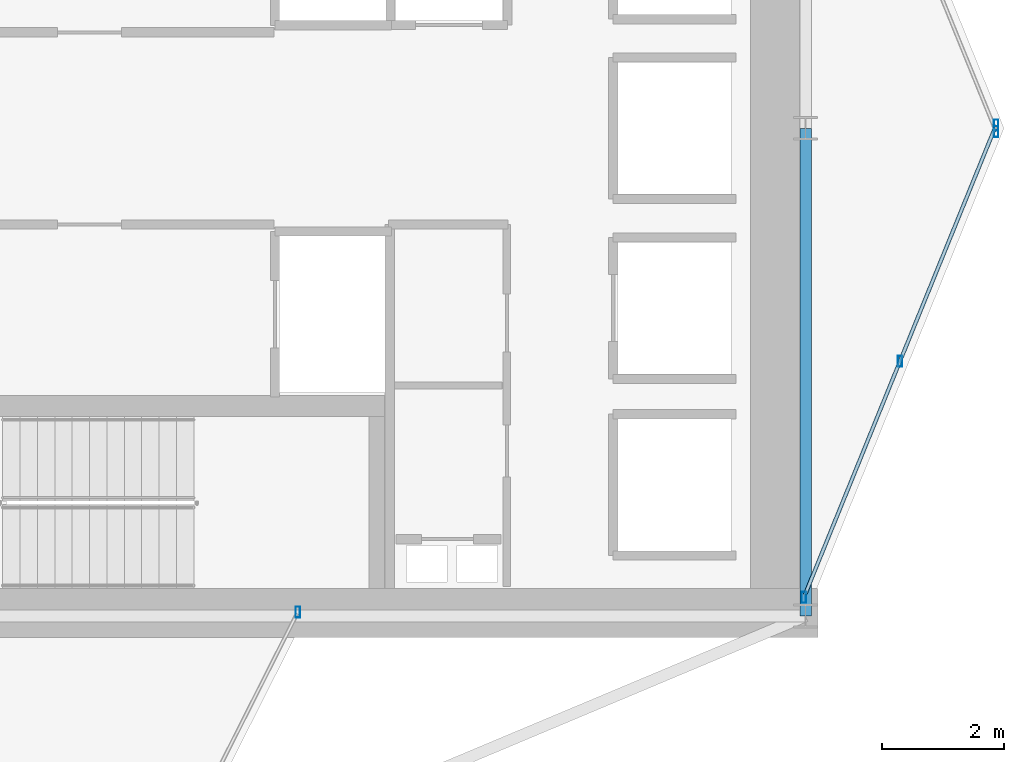
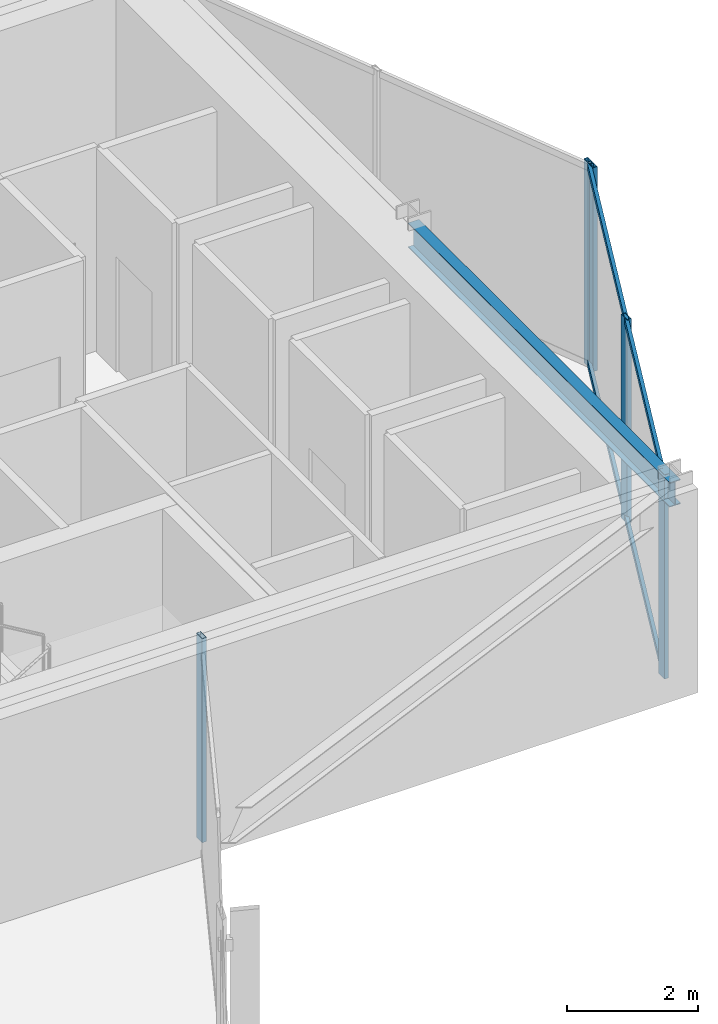
# One storey, part 14 of 25: 7 members, 1 beam, 3 elements without a shape of their own.
"""IFC4 building model written with IfcOpenShell, lengths in metres."""

from ifc_helpers import new_model, si_unit, direction, frame, origin, origin_2d, place, context, subcontext, project, spatial, hollow_rectangle, i_section, extrude, material, layer, layer_set, material_profile, profile_set, type_object, element, aggregate, save


model = new_model("IFC4")

# Units and contexts
model_context = context("Model", 3, precision=1e-05, world=origin(), true_north=direction((0.0, 1.0)))
body_context = subcontext(model_context, "Body", "Model", "MODEL_VIEW")
ifc_project = project(units=[si_unit("LENGTHUNIT", "METRE"), si_unit("AREAUNIT", "SQUARE_METRE"), si_unit("VOLUMEUNIT", "CUBIC_METRE"), si_unit("PLANEANGLEUNIT", "RADIAN"), si_unit("MASSUNIT", "GRAM", prefix="KILO")], contexts=[model_context])

# Site, building, storey
site_placement = place(None, origin())
site = spatial("IfcSite", under=ifc_project, at=site_placement, CompositionType="ELEMENT")
building_placement = place(site_placement, origin())
building = spatial("IfcBuilding", under=site, at=building_placement, Name="Veymaron Broadcast Tower", CompositionType="ELEMENT")
storey_placement = place(building_placement, frame((0.0, 0.0, 129.0)))
storey = spatial("IfcBuildingStorey", under=building, at=storey_placement, Name="L29", CompositionType="ELEMENT", Elevation=129.0)

# Beam
ifc_material_1 = material(Name="Structural steel ASTM A992 Gr 50", Category="steel")
ifc_material_profile_1 = material_profile(ifc_material_1, i_section(OverallWidth=0.19091796875, OverallDepth=0.4599609375, WebThickness=0.010009765625, FlangeThickness=0.01611328125, at=origin_2d()), Name="W460X82")
ifc_profile_set_1 = profile_set([ifc_material_profile_1], Name="Structural steel ASTM A992 Gr 50")
beam_type = type_object("IfcBeamType", Name="BM-SP1", PredefinedType="SPANDREL", material=ifc_profile_set_1)
beam_placement = place(storey_placement, frame((54.60009765625, 16.0, 3.580078125), z_axis=(0.0, 1.0, 0.0), x_axis=(-1.0, 0.0, 0.0)))
element("IfcBeam", 1, at=beam_placement, inside=storey, type_object=beam_type, Name="L29 primary structural floor girder", PredefinedType="SPANDREL", context=body_context, shape_type="SweptSolid", body=[
    extrude(i_section(OverallWidth=0.19091796875, OverallDepth=0.4599609375, WebThickness=0.010009765625, FlangeThickness=0.01611328125, at=origin_2d()), origin(), (0.0, 0.0, 1.0), 8.0),
])

# Curtain wall, members
ifc_material_2 = material(Name="Anodised aluminium AA 6063-T6 and laminated low-E dark glass", Category="aluminium")
ifc_layer = layer(ifc_material_2, 0.179931640625)
ifc_layer_set = layer_set([ifc_layer], Name="Anodised aluminium AA 6063-T6 and laminated low-E dark glass")
curtain_wall_type = type_object("IfcCurtainWallType", Name="CW-SYS-03", PredefinedType="NOTDEFINED", material=ifc_layer_set)
curtain_wall_1_placement = place(storey_placement, origin())
curtain_wall_1 = element("IfcCurtainWall", 2, at=curtain_wall_1_placement, inside=storey, type_object=curtain_wall_type, Name="L29 dark-glass curtain wall CW-L29-E2-1", PredefinedType="NOTDEFINED")
ifc_material_3 = material(Name="Anodised aluminium AA 6063-T6", Category="aluminium")
ifc_material_profile_2 = material_profile(ifc_material_3, hollow_rectangle(XDim=0.074951171875, YDim=0.179931640625, WallThickness=0.0048828125, at=origin_2d()), Name="AL180X75X5")
ifc_profile_set_2 = profile_set([ifc_material_profile_2], Name="Anodised aluminium AA 6063-T6")
member_type_1 = type_object("IfcMemberType", Name="CW-MUL-02", PredefinedType="MULLION", material=ifc_profile_set_2)
member_1_placement = place(storey_placement, frame((54.572998046875, 16.304931640625, 0.0), z_axis=(0.0, 0.0, 1.0), x_axis=(1.0, 0.0, 0.0)))
member_1 = element("IfcMember", 3, at=member_1_placement, type_object=member_type_1, Name="CW-L29-E2-1 mullion 0", PredefinedType="MULLION", context=body_context, shape_type="SweptSolid", body=[
    extrude(hollow_rectangle(XDim=0.074951171875, YDim=0.179931640625, WallThickness=0.0048828125, at=origin_2d()), origin(), (0.0, 0.0, 1.0), 3.81005859375),
])
member_2_placement = place(storey_placement, frame((56.149169921875, 20.178955078125, 0.0), z_axis=(0.0, 0.0, 1.0), x_axis=(1.0, 0.0, 0.0)))
member_2 = element("IfcMember", 4, at=member_2_placement, type_object=member_type_1, Name="CW-L29-E2-1 mullion 1", PredefinedType="MULLION", context=body_context, shape_type="SweptSolid", body=[
    extrude(hollow_rectangle(XDim=0.074951171875, YDim=0.179931640625, WallThickness=0.0048828125, at=origin_2d()), origin(), (0.0, 0.0, 1.0), 3.81005859375),
])
member_3_placement = place(storey_placement, frame((57.725341796875, 24.052734375, 0.0), z_axis=(0.0, 0.0, 1.0), x_axis=(1.0, 0.0, 0.0)))
member_3 = element("IfcMember", 5, at=member_3_placement, type_object=member_type_1, Name="CW-L29-E2-1 mullion 2", PredefinedType="MULLION", context=body_context, shape_type="SweptSolid", body=[
    extrude(hollow_rectangle(XDim=0.074951171875, YDim=0.179931640625, WallThickness=0.0048828125, at=origin_2d()), origin(), (0.0, 0.0, 1.0), 3.81005859375),
])

# Curtain wall, member
curtain_wall_2_placement = place(storey_placement, origin())
curtain_wall_2 = element("IfcCurtainWall", 6, at=curtain_wall_2_placement, inside=storey, type_object=curtain_wall_type, Name="L29 dark-glass curtain wall CW-L29-E3-1", PredefinedType="NOTDEFINED")
member_4_placement = place(storey_placement, frame((57.725341796875, 23.947265625, 0.0), z_axis=(0.0, 0.0, 1.0), x_axis=(1.0, 0.0, 0.0)))
member_4 = element("IfcMember", 7, at=member_4_placement, type_object=member_type_1, Name="CW-L29-E3-1 mullion 0", PredefinedType="MULLION", context=body_context, shape_type="SweptSolid", body=[
    extrude(hollow_rectangle(XDim=0.074951171875, YDim=0.179931640625, WallThickness=0.0048828125, at=origin_2d()), origin(), (0.0, 0.0, 1.0), 3.81005859375),
])
aggregate(curtain_wall_2, [member_4])

curtain_wall_3_placement = place(storey_placement, origin())
curtain_wall_3 = element("IfcCurtainWall", 8, at=curtain_wall_3_placement, inside=storey, type_object=curtain_wall_type, Name="L29 dark-glass curtain wall CW-L29-E20-1", PredefinedType="NOTDEFINED")
member_5_placement = place(storey_placement, frame((46.27099609375, 16.06298828125, 0.0), z_axis=(0.0, 0.0, 1.0), x_axis=(1.0, 0.0, 0.0)))
member_5 = element("IfcMember", 9, at=member_5_placement, type_object=member_type_1, Name="CW-L29-E20-1 mullion 2", PredefinedType="MULLION", context=body_context, shape_type="SweptSolid", body=[
    extrude(hollow_rectangle(XDim=0.074951171875, YDim=0.179931640625, WallThickness=0.0048828125, at=origin_2d()), origin(), (0.0, 0.0, 1.0), 3.81005859375),
])
aggregate(curtain_wall_3, [member_5])

# Member
ifc_material_profile_3 = material_profile(ifc_material_3, hollow_rectangle(XDim=0.06005859375, YDim=0.1201171875, WallThickness=0.00390625, at=origin_2d()), Name="AL120X60X4")
ifc_profile_set_3 = profile_set([ifc_material_profile_3], Name="Anodised aluminium AA 6063-T6")
member_type_2 = type_object("IfcMemberType", Name="CW-TRN-02", PredefinedType="USERDEFINED", material=ifc_profile_set_3)
member_6_placement = place(storey_placement, frame((54.591796875, 16.351318359375, 0.070068359375), z_axis=(0.376874596189, 0.926264292061, 0.0), x_axis=(-0.926264292061, 0.376874596189, 0.0)))
member_6 = element("IfcMember", 10, at=member_6_placement, type_object=member_type_2, Name="CW-L29-E2-1 transom B", ObjectType="TRANSOM", PredefinedType="USERDEFINED", context=body_context, shape_type="SweptSolid", body=[
    extrude(hollow_rectangle(XDim=0.06005859375, YDim=0.1201171875, WallThickness=0.00390625, at=origin_2d()), origin(), (0.0, 0.0, 1.0), 8.2646484375),
])

member_7_placement = place(storey_placement, frame((54.591796875, 16.351318359375, 3.739990234375), z_axis=(0.376874596189, 0.926264292061, 0.0), x_axis=(-0.926264292061, 0.376874596189, 0.0)))
member_7 = element("IfcMember", 11, at=member_7_placement, type_object=member_type_2, Name="CW-L29-E2-1 transom T", ObjectType="TRANSOM", PredefinedType="USERDEFINED", context=body_context, shape_type="SweptSolid", body=[
    extrude(hollow_rectangle(XDim=0.06005859375, YDim=0.1201171875, WallThickness=0.00390625, at=origin_2d()), origin(), (0.0, 0.0, 1.0), 8.2646484375),
])

aggregate(curtain_wall_1, [member_1, member_2, member_3, member_6, member_7])

save(model, "model.ifc")
